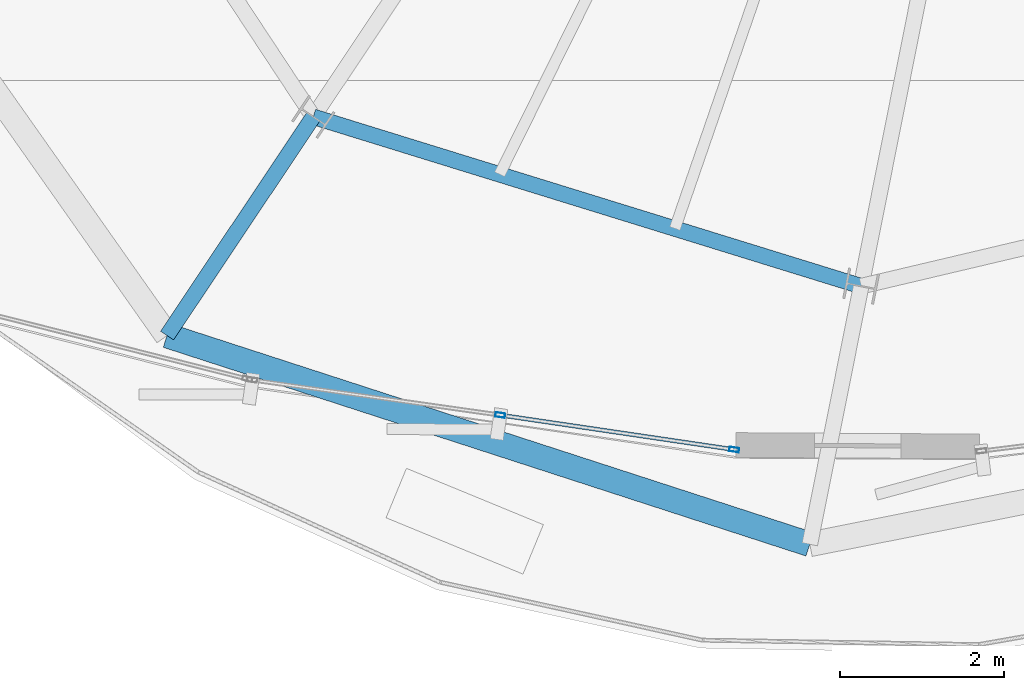
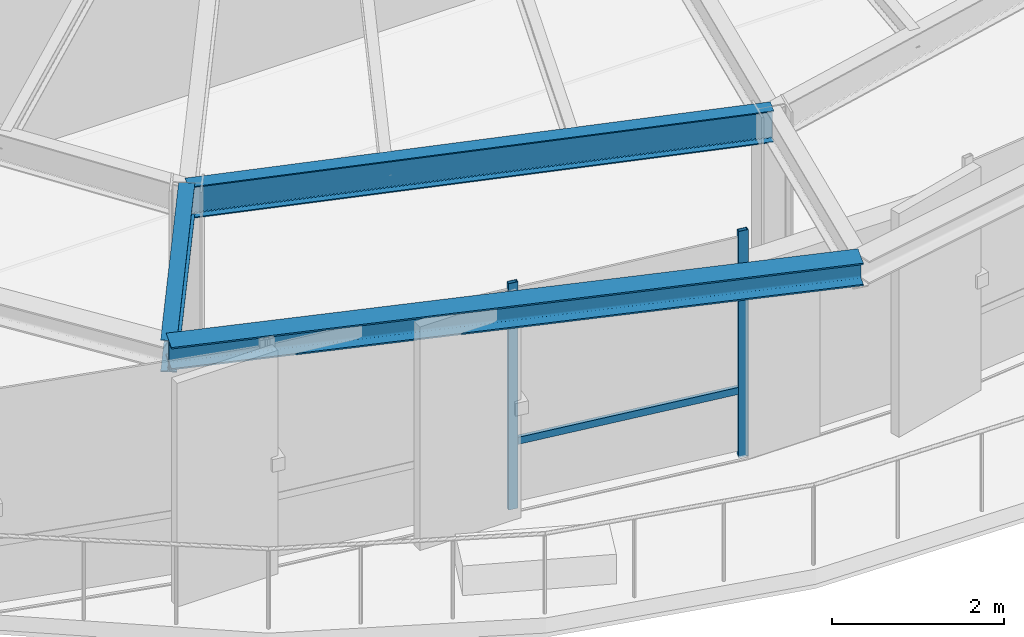
# One storey, part 3 of 32: 3 beams, 3 members, 1 element without a shape of its own.
"""IFC4 building model written with IfcOpenShell, lengths in metres."""

from ifc_helpers import new_model, si_unit, direction, frame, origin, origin_2d, place, context, subcontext, project, spatial, hollow_rectangle, i_section, extrude, source, transform, mapped, material, layer, layer_set, material_profile, profile_set, type_object, element, aggregate, save


model = new_model("IFC4")

# Units and contexts
model_context = context("Model", 3, precision=1e-05, world=origin(), true_north=direction((0.0, 1.0)))
body_context = subcontext(model_context, "Body", "Model", "MODEL_VIEW")
ifc_project = project(units=[si_unit("LENGTHUNIT", "METRE"), si_unit("AREAUNIT", "SQUARE_METRE"), si_unit("VOLUMEUNIT", "CUBIC_METRE"), si_unit("PLANEANGLEUNIT", "RADIAN"), si_unit("MASSUNIT", "GRAM", prefix="KILO"), si_unit("THERMODYNAMICTEMPERATUREUNIT", "KELVIN")], contexts=[model_context])

# Site, building, storey
site_placement = place(None, origin())
site = spatial("IfcSite", under=ifc_project, at=site_placement, CompositionType="ELEMENT")
building_placement = place(site_placement, origin())
building = spatial("IfcBuilding", under=site, at=building_placement, Name="Kethvar Cultural Tower", CompositionType="ELEMENT")
storey_placement = place(building_placement, frame((0.0, 0.0, 273.25)))
storey = spatial("IfcBuildingStorey", under=building, at=storey_placement, Name="L72", CompositionType="ELEMENT", Elevation=273.25)

# Beams
ifc_material_1 = material(Name="Steel S355J2", Category="steel")
ifc_material_profile_1 = material_profile(ifc_material_1, i_section(OverallWidth=0.18994140625, OverallDepth=0.449951171875, WebThickness=0.009521484375, FlangeThickness=0.0146484375, FilletRadius=0.02099609375, at=origin_2d()), Name="Steel S355J2 — IPE450")
ifc_profile_set_1 = profile_set([ifc_material_profile_1], Name="Steel S355J2 — IPE450")
beam_type_1 = type_object("IfcBeamType", Name="BM-IPE450", PredefinedType="BEAM", material=ifc_profile_set_1)
shared_shape_1 = source(origin(), body_context, "Body", "SweptSolid", [
    extrude(i_section(OverallWidth=0.18994140625, OverallDepth=0.449951171875, WebThickness=0.009521484375, FlangeThickness=0.0146484375, FilletRadius=0.02099609375, at=origin_2d()), origin(), (0.0, 0.0, 1.0), 3.199951171875),
])
beam_1_placement = place(storey_placement, frame((36.731201171875, 12.73095703125, 2.98291015625), z_axis=(-0.555580212716, -0.831462943996, 0.0), x_axis=(0.831462943996, -0.555580212716, 0.0)))
element("IfcBeam", 1, at=beam_1_placement, inside=storey, type_object=beam_type_1, Name="L72 Perimeter Cantilever Beam RC-11", PredefinedType="BEAM", context=body_context, shape_type="MappedRepresentation", body=[
    mapped(shared_shape_1, transform((0.0, 0.0, 0.0), scale=1.0)),
])
shared_shape_2 = source(origin(), body_context, "Body", "SweptSolid", [
    extrude(i_section(OverallWidth=0.18994140625, OverallDepth=0.449951171875, WebThickness=0.009521484375, FlangeThickness=0.0146484375, FilletRadius=0.02099609375, at=origin_2d()), origin(), (0.0, 0.0, 1.0), 6.97265625),
])
beam_2_placement = place(storey_placement, frame((36.731201171875, 12.73095703125, 2.98291015625), z_axis=(0.955381444404, -0.295374839295, 0.0), x_axis=(0.295374839295, 0.955381444404, 0.0)))
element("IfcBeam", 2, at=beam_2_placement, inside=storey, type_object=beam_type_1, Name="L72 Column Ring Tie Beam CR-11", PredefinedType="BEAM", context=body_context, shape_type="MappedRepresentation", body=[
    mapped(shared_shape_2, transform((0.0, 0.0, 0.0), scale=1.0)),
])
ifc_material_profile_2 = material_profile(ifc_material_1, i_section(OverallWidth=0.300048828125, OverallDepth=0.320068359375, WebThickness=0.011474609375, FlangeThickness=0.0205078125, FilletRadius=0.027099609375, at=origin_2d()), Name="Steel S355J2 — HEB320")
ifc_profile_set_2 = profile_set([ifc_material_profile_2], Name="Steel S355J2 — HEB320")
beam_type_2 = type_object("IfcBeamType", Name="BM-SP320", PredefinedType="SPANDREL", material=ifc_profile_set_2)
shared_shape_3 = source(origin(), body_context, "Body", "SweptSolid", [
    extrude(i_section(OverallWidth=0.300048828125, OverallDepth=0.320068359375, WebThickness=0.011474609375, FlangeThickness=0.0205078125, FilletRadius=0.027099609375, at=origin_2d()), origin(), (0.0, 0.0, 1.0), 8.216796875),
])
beam_3_placement = place(storey_placement, frame((34.953369140625, 10.0703125, 3.048095703125), z_axis=(0.951117661456, -0.30882874553, 0.0), x_axis=(0.30882874553, 0.951117661456, 0.0)))
element("IfcBeam", 3, at=beam_3_placement, inside=storey, type_object=beam_type_2, Name="L72 Perimeter Spandrel Beam SP-11", PredefinedType="SPANDREL", context=body_context, shape_type="MappedRepresentation", body=[
    mapped(shared_shape_3, transform((0.0, 0.0, 0.0), scale=1.0)),
])

# Curtain wall, members
ifc_material_2 = material(Name="Aluminium 6063-T6", Category="aluminium")
ifc_layer = layer(ifc_material_2, 0.179931640625, Name="Aluminium 6063-T6", Category="aluminium")
ifc_layer_set = layer_set([ifc_layer], Name="Aluminium 6063-T6 (180 mm)")
curtain_wall_type = type_object("IfcCurtainWallType", Name="CW-SYS-05-Z56", PredefinedType="NOTDEFINED", material=ifc_layer_set)
curtain_wall_placement = place(storey_placement, origin())
curtain_wall = element("IfcCurtainWall", 4, at=curtain_wall_placement, inside=storey, type_object=curtain_wall_type, Name="L72 Curtain Wall Run 04", PredefinedType="NOTDEFINED")
ifc_material_profile_3 = material_profile(ifc_material_2, hollow_rectangle(XDim=0.054931640625, YDim=0.1201171875, WallThickness=0.00390625, at=origin_2d()), Name="Aluminium 6063-T6 — RHS120x55x4")
ifc_profile_set_3 = profile_set([ifc_material_profile_3], Name="Aluminium 6063-T6 — RHS120x55x4")
member_type_1 = type_object("IfcMemberType", Name="CW-SYS-05-Z56-MUL", PredefinedType="MULLION", material=ifc_profile_set_3)
shared_shape_4 = source(origin(), body_context, "Body", "SweptSolid", [
    extrude(hollow_rectangle(XDim=0.054931640625, YDim=0.1201171875, WallThickness=0.00390625, at=origin_2d()), origin(), (0.0, 0.0, 1.0), 3.2099609375),
])
member_1_placement = place(storey_placement, frame((39.0048828125, 9.10400390625, 0.0), z_axis=(0.0, 0.0, 1.0), x_axis=(0.146013963969, 0.989282529072, 0.0)))
member_1 = element("IfcMember", 5, at=member_1_placement, type_object=member_type_1, Name="CW-L72-R04 Mullion 2", PredefinedType="MULLION", context=body_context, shape_type="MappedRepresentation", body=[
    mapped(shared_shape_4, transform((0.0, 0.0, 0.0), scale=1.0)),
])
member_2_placement = place(storey_placement, frame((41.84912109375, 8.68408203125, 0.0), z_axis=(0.0, 0.0, 1.0), x_axis=(0.146013963969, 0.989282529072, 0.0)))
member_2 = element("IfcMember", 6, at=member_2_placement, type_object=member_type_1, Name="CW-L72-R04 Mullion 3", PredefinedType="MULLION", context=body_context, shape_type="MappedRepresentation", body=[
    mapped(shared_shape_4, transform((0.0, 0.0, 0.0), scale=1.0)),
])
ifc_material_profile_4 = material_profile(ifc_material_2, hollow_rectangle(XDim=0.050048828125, YDim=0.10009765625, WallThickness=0.00390625, at=origin_2d()), Name="Aluminium 6063-T6 — RHS100x50x4")
ifc_profile_set_4 = profile_set([ifc_material_profile_4], Name="Aluminium 6063-T6 — RHS100x50x4")
member_type_2 = type_object("IfcMemberType", Name="CW-SYS-05-Z56-TRN", PredefinedType="USERDEFINED", material=ifc_profile_set_4)
shared_shape_5 = source(origin(), body_context, "Body", "SweptSolid", [
    extrude(hollow_rectangle(XDim=0.050048828125, YDim=0.10009765625, WallThickness=0.00390625, at=origin_2d()), origin(), (0.0, 0.0, 1.0), 2.831298828125),
])
member_3_placement = place(storey_placement, frame((39.044189453125, 9.09814453125, 0.949951171875), z_axis=(0.989287097481, -0.145983008458, 0.0), x_axis=(0.145983008458, 0.989287097481, 0.0)))
member_3 = element("IfcMember", 7, at=member_3_placement, type_object=member_type_2, Name="CW-L72-R04 Transom 2", ObjectType="TRANSOM", PredefinedType="USERDEFINED", context=body_context, shape_type="MappedRepresentation", body=[
    mapped(shared_shape_5, transform((0.0, 0.0, 0.0), scale=1.0)),
])
aggregate(curtain_wall, [member_1, member_2, member_3])

save(model, "model.ifc")
